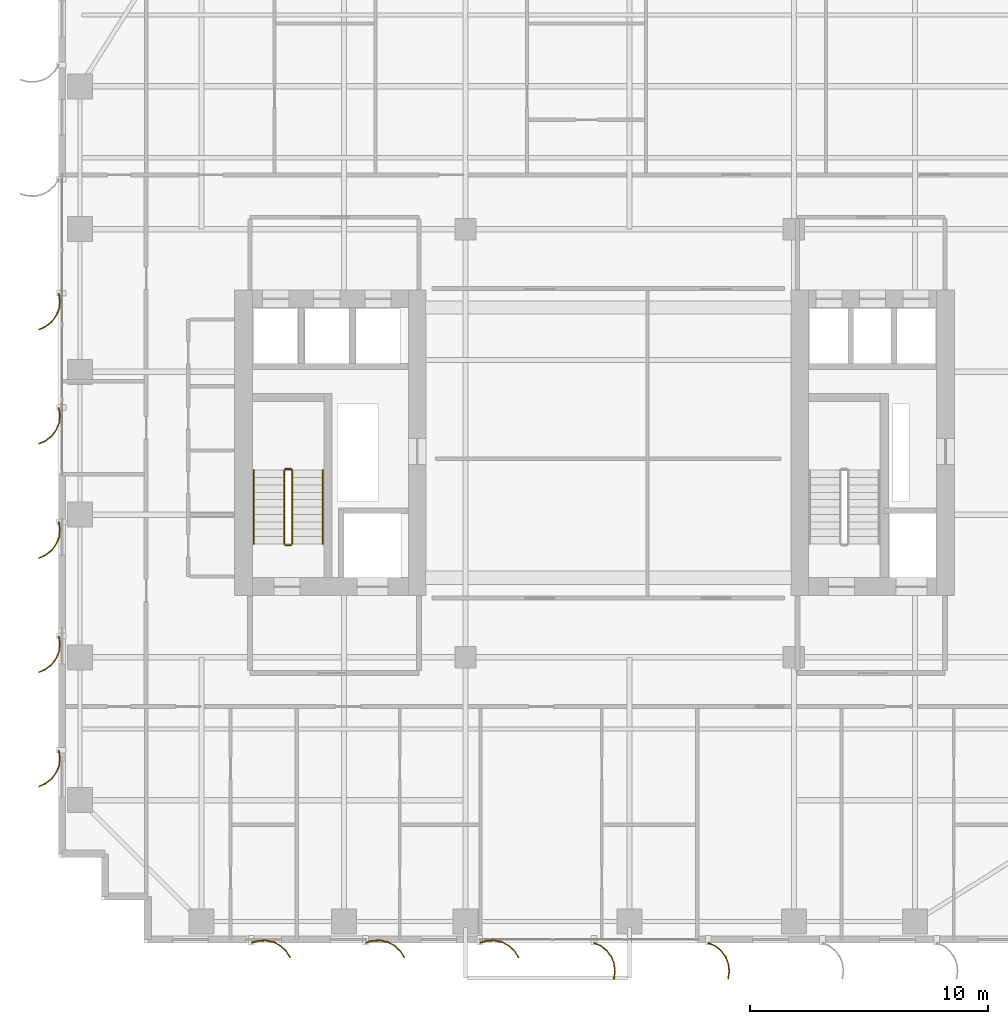
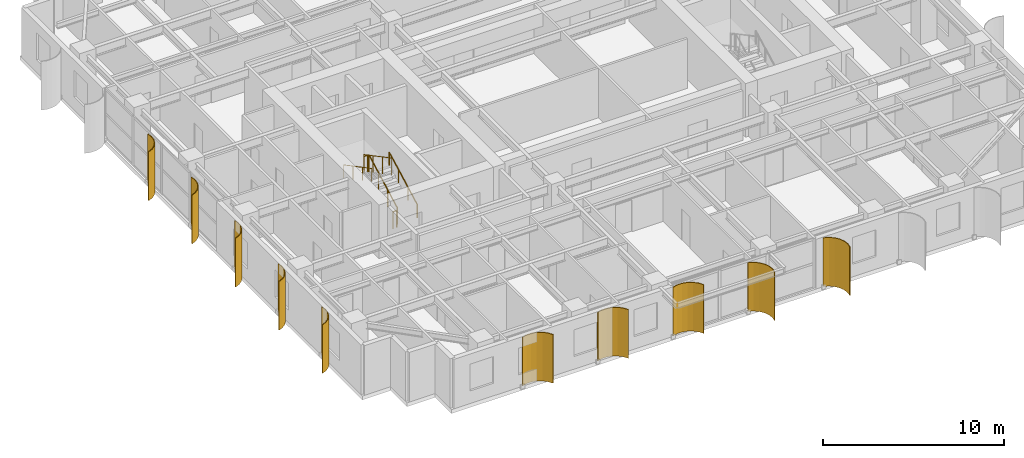
# One storey, part 23 of 25: 10 shading devices, 6 railings.
"""IFC4 building model written with IfcOpenShell, lengths in metres."""

from ifc_helpers import new_model, si_unit, direction, frame, origin, origin_2d, place, context, subcontext, project, spatial, polyline, circle, outline, extrude, source, transform, mapped, material, layer, layer_set, type_object, element, save


model = new_model("IFC4")

# Units and contexts
model_context = context("Model", 3, precision=1e-05, world=origin(), true_north=direction((0.0, 1.0)))
body_context = subcontext(model_context, "Body", "Model", "MODEL_VIEW")
ifc_project = project(units=[si_unit("LENGTHUNIT", "METRE"), si_unit("AREAUNIT", "SQUARE_METRE"), si_unit("VOLUMEUNIT", "CUBIC_METRE"), si_unit("PLANEANGLEUNIT", "RADIAN"), si_unit("MASSUNIT", "GRAM", prefix="KILO")], contexts=[model_context])

# Site, building, storey
site_placement = place(None, origin())
site = spatial("IfcSite", under=ifc_project, at=site_placement, CompositionType="ELEMENT")
building_placement = place(site_placement, origin())
building = spatial("IfcBuilding", under=site, at=building_placement, Name="Khoralis Quay Care Tower", CompositionType="ELEMENT")
storey_placement = place(building_placement, frame((0.0, 0.0, 134.10009765625)))
storey = spatial("IfcBuildingStorey", under=building, at=storey_placement, Name="L35", CompositionType="ELEMENT", Elevation=134.10009765625)

# Railings
ifc_material_1 = material(Name="Brushed stainless steel", Category="steel")
railing_type_1 = type_object("IfcRailingType", Name="RL-GUARD-1150", PredefinedType="GUARDRAIL", material=ifc_material_1)
railing_1_placement = place(storey_placement, frame((9.820068359375, 16.77001953125, 0.16357421875)))
element("IfcRailing", 1, at=railing_1_placement, inside=storey, type_object=railing_type_1, Name="L35 ST-T1 stair guard 1", PredefinedType="GUARDRAIL", context=body_context, shape_type="SweptSolid", body=[
    extrude(circle(Radius=0.02392578125, at=origin_2d()), frame((0.0, 0.0, 1.1259765625), z_axis=(0.0, 0.884376766648, 0.46677375099), x_axis=(-1.0, 0.0, 0.0)), (0.0, 0.0, 1.0), 3.50537109375),
    extrude(circle(Radius=0.02099609375, at=origin_2d()), origin(), (0.0, 0.0, 1.0), 1.101806640625),
    extrude(circle(Radius=0.02099609375, at=origin_2d()), frame((0.0, 1.033447265625, 0.54541015625)), (0.0, 0.0, 1.0), 1.101806640625),
    extrude(circle(Radius=0.02099609375, at=origin_2d()), frame((0.0, 2.066650390625, 1.0908203125)), (0.0, 0.0, 1.0), 1.101806640625),
    extrude(circle(Radius=0.02099609375, at=origin_2d()), frame((0.0, 3.10009765625, 1.63623046875)), (0.0, 0.0, 1.0), 1.101806640625),
])
railing_2_placement = place(storey_placement, frame((9.77001953125, 19.919921875, 1.7998046875)))
element("IfcRailing", 2, at=railing_2_placement, inside=storey, type_object=railing_type_1, Name="L35 ST-T1 stair guard 2", PredefinedType="GUARDRAIL", context=body_context, shape_type="SweptSolid", body=[
    extrude(circle(Radius=0.02392578125, at=origin_2d()), frame((0.0, 0.0, 1.1259765625), z_axis=(-1.0, 0.0, 0.0), x_axis=(0.0, -1.0, 0.0)), (0.0, 0.0, 1.0), 0.239990234375),
    extrude(circle(Radius=0.02099609375, at=origin_2d()), origin(), (0.0, 0.0, 1.0), 1.101806640625),
    extrude(circle(Radius=0.02099609375, at=origin_2d()), frame((-0.239990234375, 0.0, 0.0)), (0.0, 0.0, 1.0), 1.101806640625),
])
railing_3_placement = place(storey_placement, frame((9.47998046875, 19.8701171875, 1.963623046875)))
element("IfcRailing", 3, at=railing_3_placement, inside=storey, type_object=railing_type_1, Name="L35 ST-T1 stair guard 3", PredefinedType="GUARDRAIL", context=body_context, shape_type="SweptSolid", body=[
    extrude(circle(Radius=0.02392578125, at=origin_2d()), frame((0.0, 0.0, 1.1259765625), z_axis=(0.0, -0.884376766648, 0.46677375099), x_axis=(1.0, 0.0, 0.0)), (0.0, 0.0, 1.0), 3.50537109375),
    extrude(circle(Radius=0.02099609375, at=origin_2d()), origin(), (0.0, 0.0, 1.0), 1.101806640625),
    extrude(circle(Radius=0.02099609375, at=origin_2d()), frame((0.0, -1.033447265625, 0.54541015625)), (0.0, 0.0, 1.0), 1.101806640625),
    extrude(circle(Radius=0.02099609375, at=origin_2d()), frame((0.0, -2.066650390625, 1.0908203125)), (0.0, 0.0, 1.0), 1.101806640625),
    extrude(circle(Radius=0.02099609375, at=origin_2d()), frame((0.0, -3.10009765625, 1.63623046875)), (0.0, 0.0, 1.0), 1.101806640625),
])
railing_4_placement = place(storey_placement, frame((9.77001953125, 16.719970703125, 0.0)))
element("IfcRailing", 4, at=railing_4_placement, inside=storey, type_object=railing_type_1, Name="L35 ST-T1 stair guard 4", PredefinedType="GUARDRAIL", context=body_context, shape_type="SweptSolid", body=[
    extrude(circle(Radius=0.02392578125, at=origin_2d()), frame((0.0, 0.0, 1.1259765625), z_axis=(-1.0, 0.0, 0.0), x_axis=(0.0, -1.0, 0.0)), (0.0, 0.0, 1.0), 0.239990234375),
    extrude(circle(Radius=0.02099609375, at=origin_2d()), origin(), (0.0, 0.0, 1.0), 1.101806640625),
    extrude(circle(Radius=0.02099609375, at=origin_2d()), frame((-0.239990234375, 0.0, 0.0)), (0.0, 0.0, 1.0), 1.101806640625),
])
railing_type_2 = type_object("IfcRailingType", Name="RL-HAND-900", PredefinedType="HANDRAIL", material=ifc_material_1)
railing_5_placement = place(storey_placement, frame((11.10009765625, 16.77001953125, 0.16357421875)))
element("IfcRailing", 5, at=railing_5_placement, inside=storey, type_object=railing_type_2, Name="L35 ST-T1 stair handrail 1", PredefinedType="HANDRAIL", context=body_context, shape_type="SweptSolid", body=[
    extrude(circle(Radius=0.02392578125, at=origin_2d()), frame((0.0, 0.0, 0.8759765625), z_axis=(0.0, 0.884376766648, 0.46677375099), x_axis=(-1.0, 0.0, 0.0)), (0.0, 0.0, 1.0), 3.50537109375),
    extrude(circle(Radius=0.02099609375, at=origin_2d()), origin(), (0.0, 0.0, 1.0), 0.851806640625),
    extrude(circle(Radius=0.02099609375, at=origin_2d()), frame((0.0, 1.033447265625, 0.54541015625)), (0.0, 0.0, 1.0), 0.851806640625),
    extrude(circle(Radius=0.02099609375, at=origin_2d()), frame((0.0, 2.066650390625, 1.0908203125)), (0.0, 0.0, 1.0), 0.851806640625),
    extrude(circle(Radius=0.02099609375, at=origin_2d()), frame((0.0, 3.10009765625, 1.63623046875)), (0.0, 0.0, 1.0), 0.851806640625),
])
railing_6_placement = place(storey_placement, frame((8.199951171875, 19.8701171875, 1.963623046875)))
element("IfcRailing", 6, at=railing_6_placement, inside=storey, type_object=railing_type_2, Name="L35 ST-T1 stair handrail 2", PredefinedType="HANDRAIL", context=body_context, shape_type="SweptSolid", body=[
    extrude(circle(Radius=0.02392578125, at=origin_2d()), frame((0.0, 0.0, 0.8759765625), z_axis=(0.0, -0.884376766648, 0.46677375099), x_axis=(1.0, 0.0, 0.0)), (0.0, 0.0, 1.0), 3.50537109375),
    extrude(circle(Radius=0.02099609375, at=origin_2d()), origin(), (0.0, 0.0, 1.0), 0.851806640625),
    extrude(circle(Radius=0.02099609375, at=origin_2d()), frame((0.0, -1.033447265625, 0.54541015625)), (0.0, 0.0, 1.0), 0.851806640625),
    extrude(circle(Radius=0.02099609375, at=origin_2d()), frame((0.0, -2.066650390625, 1.0908203125)), (0.0, 0.0, 1.0), 0.851806640625),
    extrude(circle(Radius=0.02099609375, at=origin_2d()), frame((0.0, -3.10009765625, 1.63623046875)), (0.0, 0.0, 1.0), 0.851806640625),
])

# Shading devices
ifc_material_2 = material(Name="Brushed pale anodised aluminium", Category="aluminium")
ifc_layer = layer(ifc_material_2, 0.044921875)
ifc_layer_set = layer_set([ifc_layer], Name="Brushed pale anodised aluminium")
shading_device_type = type_object("IfcShadingDeviceType", Name="SHD-FIN-1250", PredefinedType="USERDEFINED", material=ifc_layer_set)
shared_shape_1 = source(origin(), body_context, "Body", "SweptSolid", [
    extrude(outline(polyline([(0.0, 0.0), (-0.04833984375, 0.32275390625), (-0.01123046875, 0.64697265625), (0.1083984375, 0.950439453125), (0.302490234375, 1.212890625), (0.557861328125, 1.416015625), (0.85693359375, 1.546142578125), (0.869384765625, 1.5029296875), (0.5810546875, 1.37744140625), (0.334716796875, 1.181640625), (0.147705078125, 0.9287109375), (0.032470703125, 0.635986328125), (-0.003173828125, 0.323486328125), (0.043212890625, 0.012451171875), (0.0, 0.0)])), origin(), (0.0, 0.0, 1.0), 3.27978515625),
])
for number, where, z_axis, x_axis, name in (
    (7, (0.030029296875, 27.300048828125, 0.02001953125), (0.0, 0.0, 1.0), (-1.0, 0.0, 0.0), "L35 Curved Solar Fin P1E15-03"),
    (8, (0.030029296875, 22.5, 0.02001953125), (0.0, 0.0, 1.0), (-1.0, 0.0, 0.0), "L35 Curved Solar Fin P1E15-04"),
    (9, (0.030029296875, 17.699951171875, 0.02001953125), (0.0, 0.0, 1.0), (-1.0, 0.0, 0.0), "L35 Curved Solar Fin P1E15-05"),
    (10, (0.030029296875, 12.89990234375, 0.02001953125), (0.0, 0.0, 1.0), (-1.0, 0.0, 0.0), "L35 Curved Solar Fin P1E15-06"),
    (11, (0.030029296875, 8.10009765625, 0.02001953125), (0.0, 0.0, 1.0), (-1.0, 0.0, 0.0), "L35 Curved Solar Fin P1E15-07"),
):
    element("IfcShadingDevice", number, at=place(storey_placement, frame(where, z_axis=z_axis, x_axis=x_axis)), inside=storey, type_object=shading_device_type, Name=name, ObjectType="FIN", PredefinedType="USERDEFINED", context=body_context, shape_type="MappedRepresentation", body=[
        mapped(shared_shape_1, transform((0.0, 0.0, 0.0), scale=1.0)),
    ])
shared_shape_2 = source(origin(), body_context, "Body", "SweptSolid", [
    extrude(outline(polyline([(0.0, 0.0), (-0.0927734375, 0.31298828125), (-0.101318359375, 0.63916015625), (-0.025146484375, 0.956298828125), (0.130615234375, 1.2431640625), (0.355224609375, 1.479736328125), (0.633544921875, 1.650390625), (0.65185546875, 1.609130859375), (0.383544921875, 1.44482421875), (0.1669921875, 1.216796875), (0.01708984375, 0.940185546875), (-0.056396484375, 0.63427734375), (-0.04833984375, 0.31982421875), (0.041015625, 0.018310546875), (0.0, 0.0)])), origin(), (0.0, 0.0, 1.0), 3.27978515625),
])
for number, where, z_axis, x_axis, name in (
    (12, (8.10009765625, 0.030029296875, 0.02001953125), (0.0, 0.0, 1.0), (0.0, -1.0, 0.0), "L35 Curved Solar Fin P1E0-01"),
    (13, (12.89990234375, 0.030029296875, 0.02001953125), (0.0, 0.0, 1.0), (0.0, -1.0, 0.0), "L35 Curved Solar Fin P1E0-02"),
    (14, (17.699951171875, 0.030029296875, 0.02001953125), (0.0, 0.0, 1.0), (0.0, -1.0, 0.0), "L35 Curved Solar Fin P1E0-03"),
):
    element("IfcShadingDevice", number, at=place(storey_placement, frame(where, z_axis=z_axis, x_axis=x_axis)), inside=storey, type_object=shading_device_type, Name=name, ObjectType="FIN", PredefinedType="USERDEFINED", context=body_context, shape_type="MappedRepresentation", body=[
        mapped(shared_shape_2, transform((0.0, 0.0, 0.0), scale=1.0)),
    ])
shared_shape_3 = source(origin(), body_context, "Body", "SweptSolid", [
    extrude(outline(polyline([(0.0, 0.0), (0.130126953125, 0.29931640625), (0.333251953125, 0.5546875), (0.595458984375, 0.748779296875), (0.899169921875, 0.868408203125), (1.223388671875, 0.9052734375), (1.546142578125, 0.85693359375), (1.53369140625, 0.813720703125), (1.22265625, 0.8603515625), (0.91015625, 0.82470703125), (0.617431640625, 0.70947265625), (0.364501953125, 0.522216796875), (0.168701171875, 0.276123046875), (0.043212890625, -0.012451171875), (0.0, 0.0)])), origin(), (0.0, 0.0, 1.0), 3.27978515625),
])
for number, where, z_axis, x_axis, name in (
    (15, (22.5, 0.030029296875, 0.02001953125), (0.0, 0.0, 1.0), (0.0, -1.0, 0.0), "L35 Curved Solar Fin P1E0-04"),
    (16, (27.300048828125, 0.030029296875, 0.02001953125), (0.0, 0.0, 1.0), (0.0, -1.0, 0.0), "L35 Curved Solar Fin P1E0-05"),
):
    element("IfcShadingDevice", number, at=place(storey_placement, frame(where, z_axis=z_axis, x_axis=x_axis)), inside=storey, type_object=shading_device_type, Name=name, ObjectType="FIN", PredefinedType="USERDEFINED", context=body_context, shape_type="MappedRepresentation", body=[
        mapped(shared_shape_3, transform((0.0, 0.0, 0.0), scale=1.0)),
    ])

save(model, "model.ifc")
